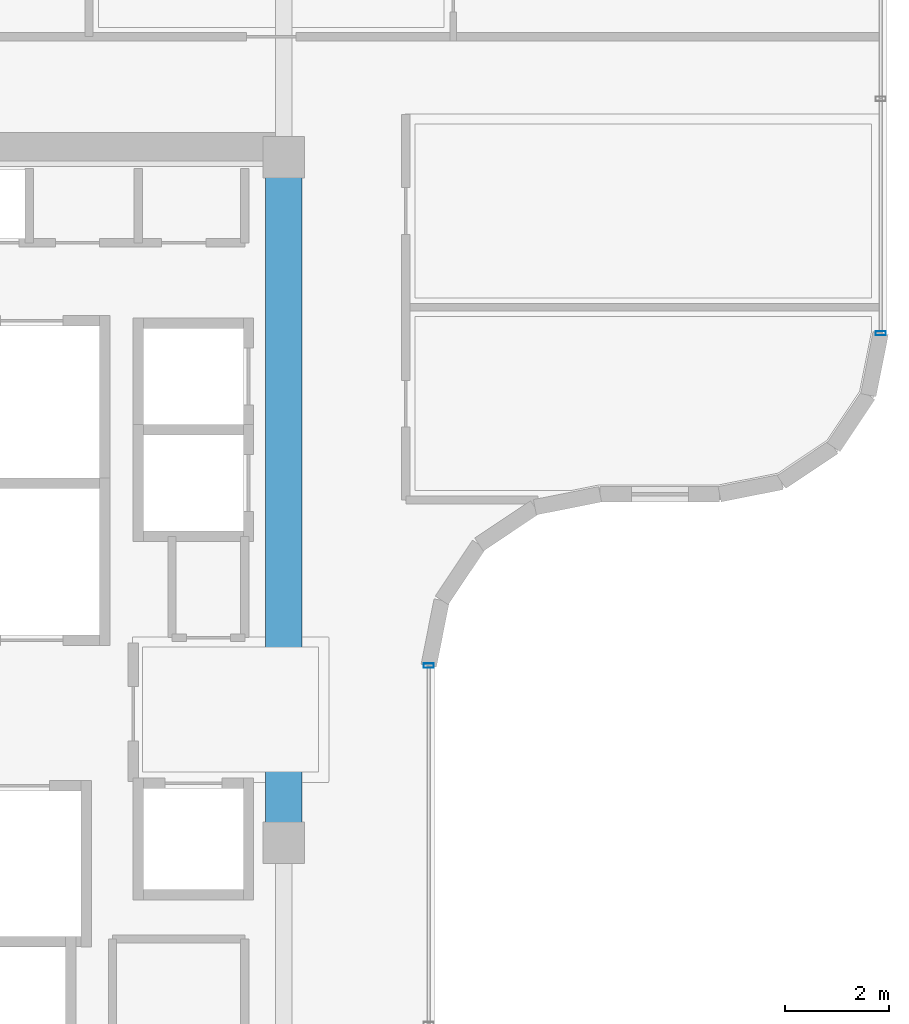
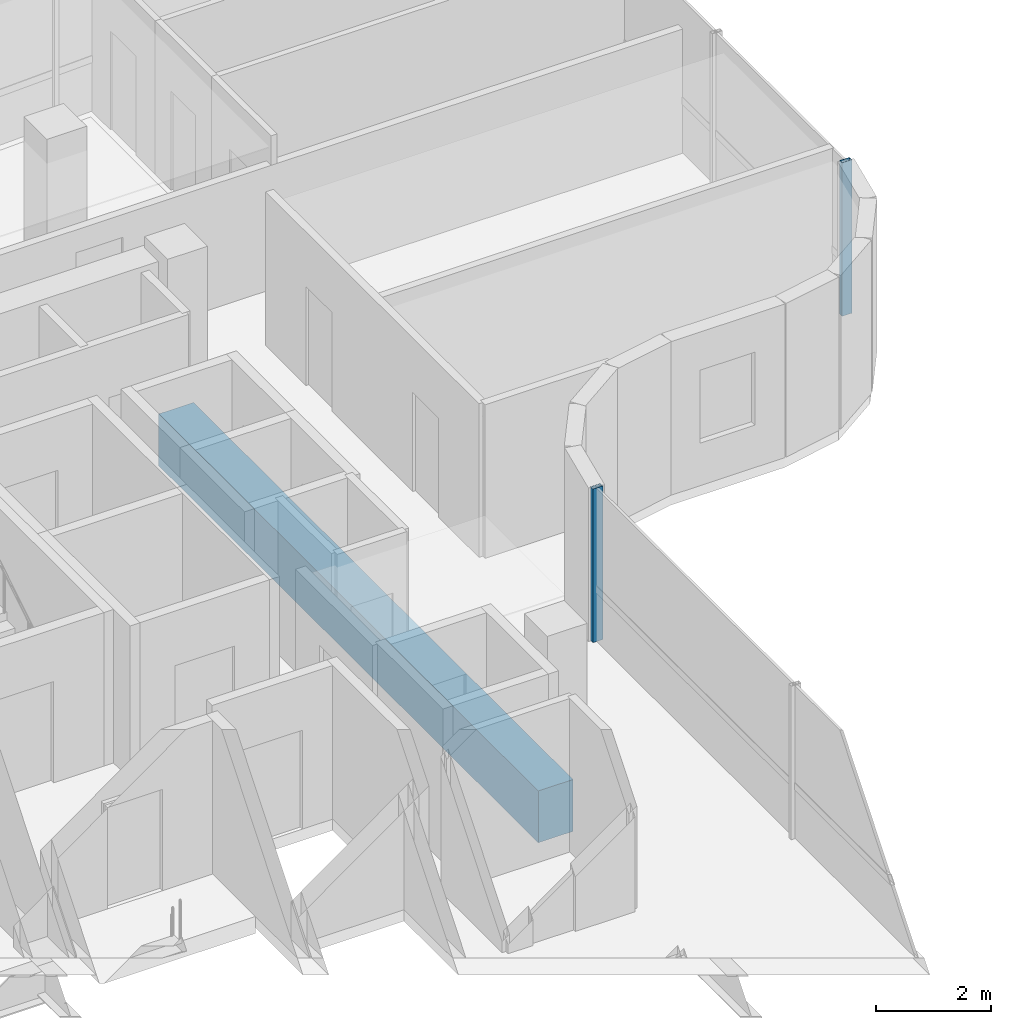
# One storey, part 10 of 21: 2 members, 1 beam, 2 elements without a shape of their own.
"""IFC4 building model written with IfcOpenShell, lengths in metres."""

from ifc_helpers import new_model, si_unit, direction, frame, origin, origin_2d, place, context, subcontext, project, spatial, rectangle, hollow_rectangle, extrude, source, transform, mapped, material, material_profile, profile_set, type_object, element, aggregate, save


model = new_model("IFC4")

# Units and contexts
model_context = context("Model", 3, precision=1e-05, world=origin(), true_north=direction((0.0, 1.0)))
body_context = subcontext(model_context, "Body", "Model", "MODEL_VIEW")
ifc_project = project(units=[si_unit("LENGTHUNIT", "METRE"), si_unit("AREAUNIT", "SQUARE_METRE"), si_unit("VOLUMEUNIT", "CUBIC_METRE"), si_unit("PLANEANGLEUNIT", "RADIAN"), si_unit("MASSUNIT", "GRAM", prefix="KILO")], contexts=[model_context])

# Site, building, storey
site_placement = place(None, origin())
site = spatial("IfcSite", under=ifc_project, at=site_placement, CompositionType="ELEMENT")
building_placement = place(site_placement, origin())
building = spatial("IfcBuilding", under=site, at=building_placement, Name="Valdorenza Pilgrim Sanctuary Tower", CompositionType="ELEMENT")
storey_placement = place(building_placement, frame((0.0, 0.0, 251.0)))
storey = spatial("IfcBuildingStorey", under=building, at=storey_placement, Name="L65", CompositionType="ELEMENT", Elevation=251.0)

# Beam
ifc_material_1 = material(Name="Concrete C50/60", Category="concrete")
ifc_material_profile_1 = material_profile(ifc_material_1, rectangle(XDim=0.699951171875, YDim=1.10009765625, at=origin_2d()), Name="RC 1100x700")
ifc_profile_set_1 = profile_set([ifc_material_profile_1], Name="Concrete C50/60")
beam_type = type_object("IfcBeamType", Name="STR-BM-LNT-1100", PredefinedType="LINTEL", material=ifc_profile_set_1)
shared_shape_1 = source(origin(), body_context, "Body", "SweptSolid", [
    extrude(rectangle(XDim=0.699951171875, YDim=1.10009765625, at=origin_2d()), origin(), (0.0, 0.0, 1.0), 13.2001953125),
])
beam_placement = place(storey_placement, frame((-12.39990234375, -2.60009765625, -0.590087890625), z_axis=(0.0, 1.0, 0.0), x_axis=(-1.0, 0.0, 0.0)))
element("IfcBeam", 1, at=beam_placement, inside=storey, type_object=beam_type, Name="L65 Core A Coupling Lintel Girder", PredefinedType="LINTEL", context=body_context, shape_type="MappedRepresentation", body=[
    mapped(shared_shape_1, transform((0.0, 0.0, 0.0), x_axis=(1.0, 0.0, 0.0), y_axis=(0.0, 1.0, 0.0), z_axis=(0.0, 0.0, 1.0), scale=1.0)),
])

# Curtain wall, member
ifc_material_2 = material(Name="Curtain-wall IGU glazing", Category="glass")
curtain_wall_type = type_object("IfcCurtainWallType", Name="CW-SYS-02", PredefinedType="NOTDEFINED", material=ifc_material_2)
curtain_wall_1_placement = place(storey_placement, origin())
curtain_wall_1 = element("IfcCurtainWall", 2, at=curtain_wall_1_placement, inside=storey, type_object=curtain_wall_type, Name="L65 Curtain Wall CW-L65-1-11", PredefinedType="NOTDEFINED")
ifc_material_3 = material(Name="Anodised aluminium AW-6060", Category="aluminium")
ifc_material_profile_2 = material_profile(ifc_material_3, hollow_rectangle(XDim=0.0849609375, YDim=0.199951171875, WallThickness=0.0048828125, at=origin_2d()), Name="ALU-M 200x85x5")
ifc_profile_set_2 = profile_set([ifc_material_profile_2], Name="Anodised aluminium AW-6060")
member_type = type_object("IfcMemberType", Name="CW-MUL-02", PredefinedType="MULLION", material=ifc_profile_set_2)
shared_shape_2 = source(origin(), body_context, "Body", "SweptSolid", [
    extrude(hollow_rectangle(XDim=0.0849609375, YDim=0.199951171875, WallThickness=0.0048828125, at=origin_2d()), origin(), (0.0, 0.0, 1.0), 3.260009765625),
])
member_1_placement = place(storey_placement, frame((-0.909912109375, 7.210693359375, 0.0), z_axis=(0.0, 0.0, 1.0), x_axis=(0.0, -1.0, 0.0)))
member_1 = element("IfcMember", 3, at=member_1_placement, type_object=member_type, Name="CW-L65-1-11 Mullion 3", PredefinedType="MULLION", context=body_context, shape_type="MappedRepresentation", body=[
    mapped(shared_shape_2, transform((0.0, 0.0, 0.0), x_axis=(1.0, 0.0, 0.0), y_axis=(0.0, 1.0, 0.0), z_axis=(0.0, 0.0, 1.0), scale=1.0)),
])
aggregate(curtain_wall_1, [member_1])

curtain_wall_2_placement = place(storey_placement, origin())
curtain_wall_2 = element("IfcCurtainWall", 4, at=curtain_wall_2_placement, inside=storey, type_object=curtain_wall_type, Name="L65 Curtain Wall CW-L65-1-21", PredefinedType="NOTDEFINED")
member_2_placement = place(storey_placement, frame((-9.610107421875, 0.810791015625, 0.0), z_axis=(0.0, 0.0, 1.0), x_axis=(0.0, -1.0, 0.0)))
member_2 = element("IfcMember", 5, at=member_2_placement, type_object=member_type, Name="CW-L65-1-21 Mullion 1", PredefinedType="MULLION", context=body_context, shape_type="MappedRepresentation", body=[
    mapped(shared_shape_2, transform((0.0, 0.0, 0.0), x_axis=(1.0, 0.0, 0.0), y_axis=(0.0, 1.0, 0.0), z_axis=(0.0, 0.0, 1.0), scale=1.0)),
])
aggregate(curtain_wall_2, [member_2])

save(model, "model.ifc")
